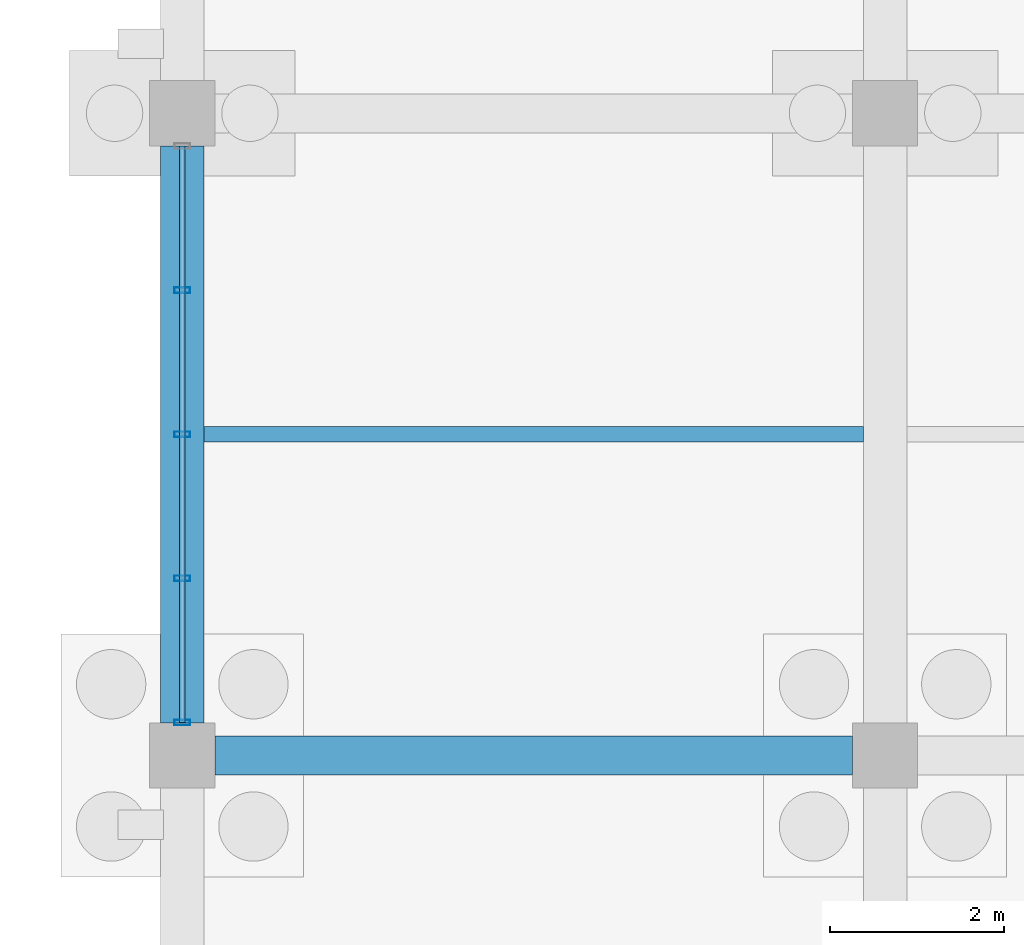
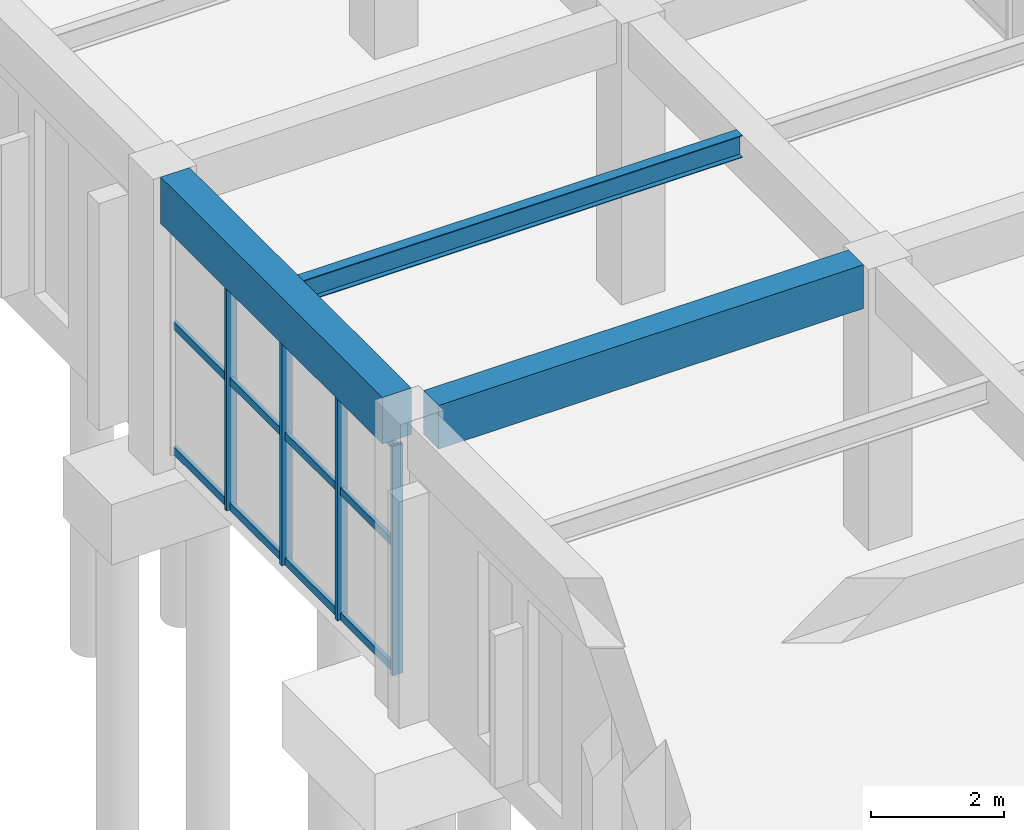
# One storey, part 65 of 140: 7 members, 3 beams, 1 element without a shape of its own.
"""IFC4 building model written with IfcOpenShell, lengths in metres."""

from ifc_helpers import new_model, si_unit, direction, frame, origin, origin_2d, place, context, subcontext, project, spatial, rectangle, hollow_rectangle, i_section, extrude, material, material_profile, profile_set, type_object, element, aggregate, save


model = new_model("IFC4")

# Units and contexts
model_context = context("Model", 3, precision=1e-05, world=origin(), true_north=direction((0.0, 1.0)))
body_context = subcontext(model_context, "Body", "Model", "MODEL_VIEW")
ifc_project = project(units=[si_unit("LENGTHUNIT", "METRE"), si_unit("AREAUNIT", "SQUARE_METRE"), si_unit("VOLUMEUNIT", "CUBIC_METRE"), si_unit("PLANEANGLEUNIT", "RADIAN"), si_unit("MASSUNIT", "GRAM", prefix="KILO")], contexts=[model_context])

# Site, building, storey
site_placement = place(None, origin())
site = spatial("IfcSite", under=ifc_project, at=site_placement, CompositionType="ELEMENT")
building_placement = place(site_placement, origin())
building = spatial("IfcBuilding", under=site, at=building_placement, Name="Cimatlan Art Gallery", CompositionType="ELEMENT")
storey_placement = place(building_placement, origin())
storey = spatial("IfcBuildingStorey", under=building, at=storey_placement, Name="L00", CompositionType="ELEMENT", Elevation=0.0)

# Beams
ifc_material_1 = material(Name="Concrete C40/50", Category="concrete")
ifc_material_profile_1 = material_profile(ifc_material_1, rectangle(XDim=0.449951171875, YDim=0.800048828125, at=origin_2d()), Name="RC450X800")
ifc_profile_set_1 = profile_set([ifc_material_profile_1], Name="Concrete C40/50")
beam_type_1 = type_object("IfcBeamType", Name="BM-RC-450X800", PredefinedType="BEAM", material=ifc_profile_set_1)
beam_1_placement = place(storey_placement, frame((34.77490234375, 83.10009765625, 4.735107421875), z_axis=(1.0, 0.0, 0.0), x_axis=(0.0, 1.0, 0.0)))
element("IfcBeam", 1, at=beam_1_placement, inside=storey, type_object=beam_type_1, Name="BM-X-L00-04-11", PredefinedType="BEAM", context=body_context, shape_type="SweptSolid", body=[
    extrude(rectangle(XDim=0.449951171875, YDim=0.800048828125, at=origin_2d()), origin(), (0.0, 0.0, 1.0), 7.35009765625),
])
ifc_material_profile_2 = material_profile(ifc_material_1, rectangle(XDim=0.5, YDim=0.85009765625, at=origin_2d()), Name="RC500X850")
ifc_profile_set_2 = profile_set([ifc_material_profile_2], Name="Concrete C40/50")
beam_type_2 = type_object("IfcBeamType", Name="BM-RC-500X850", PredefinedType="BEAM", material=ifc_profile_set_2)
beam_2_placement = place(storey_placement, frame((34.39990234375, 83.47509765625, 4.7099609375), z_axis=(0.0, 1.0, 0.0), x_axis=(-1.0, 0.0, 0.0)))
element("IfcBeam", 2, at=beam_2_placement, inside=storey, type_object=beam_type_2, Name="BM-Y-L00-04-11", PredefinedType="BEAM", context=body_context, shape_type="SweptSolid", body=[
    extrude(rectangle(XDim=0.5, YDim=0.85009765625, at=origin_2d()), origin(), (0.0, 0.0, 1.0), 6.64990234375),
])
ifc_material_2 = material(Name="Steel ASTM A992 Grade 50", Category="steel")
ifc_material_profile_3 = material_profile(ifc_material_2, i_section(OverallWidth=0.177978515625, OverallDepth=0.406982421875, WebThickness=0.0078125, FlangeThickness=0.0126953125, at=origin_2d()), Name="W16X40")
ifc_profile_set_3 = profile_set([ifc_material_profile_3], Name="Steel ASTM A992 Grade 50")
beam_type_3 = type_object("IfcBeamType", Name="BM-STL-W16X40", PredefinedType="JOIST", material=ifc_profile_set_3)
beam_3_placement = place(storey_placement, frame((34.64990234375, 86.800048828125, 4.931396484375), z_axis=(1.0, 0.0, 0.0), x_axis=(0.0, 1.0, 0.0)))
element("IfcBeam", 3, at=beam_3_placement, inside=storey, type_object=beam_type_3, Name="JST-L00-04-11", PredefinedType="JOIST", context=body_context, shape_type="SweptSolid", body=[
    extrude(i_section(OverallWidth=0.177978515625, OverallDepth=0.406982421875, WebThickness=0.0078125, FlangeThickness=0.0126953125, at=origin_2d()), origin(), (0.0, 0.0, 1.0), 7.60009765625),
])

# Curtain wall, members
ifc_material_3 = material(Name="Anodised bronze unitised curtain wall")
curtain_wall_type = type_object("IfcCurtainWallType", Name="CW-V-06642X04195-B4", PredefinedType="NOTDEFINED", material=ifc_material_3)
curtain_wall_placement = place(storey_placement, origin())
curtain_wall = element("IfcCurtainWall", 4, at=curtain_wall_placement, inside=storey, type_object=curtain_wall_type, Name="CW-L00-04-11-W", PredefinedType="NOTDEFINED")
ifc_material_4 = material(Name="Anodised bronze aluminium 6063-T6", Category="aluminium")
ifc_material_profile_4 = material_profile(ifc_material_4, hollow_rectangle(XDim=0.06494140625, YDim=0.179931640625, WallThickness=0.00390625, at=origin_2d()), Name="ALU65X180X4")
ifc_profile_set_4 = profile_set([ifc_material_profile_4], Name="Anodised bronze aluminium 6063-T6")
member_type_1 = type_object("IfcMemberType", Name="CW-MUL-180", PredefinedType="MULLION", material=ifc_profile_set_4)
member_1_placement = place(storey_placement, frame((34.39990234375, 83.47900390625, 0.0), z_axis=(0.0, 0.0, 1.0), x_axis=(0.0, 1.0, 0.0)))
member_1 = element("IfcMember", 5, at=member_1_placement, type_object=member_type_1, Name="CW-L00-04-11-W-M1", PredefinedType="MULLION", context=body_context, shape_type="SweptSolid", body=[
    extrude(hollow_rectangle(XDim=0.06494140625, YDim=0.179931640625, WallThickness=0.00390625, at=origin_2d()), origin(), (0.0, 0.0, 1.0), 4.195068359375),
])
member_2_placement = place(storey_placement, frame((34.39990234375, 85.139404296875, 0.0), z_axis=(0.0, 0.0, 1.0), x_axis=(0.0, 1.0, 0.0)))
member_2 = element("IfcMember", 6, at=member_2_placement, type_object=member_type_1, Name="CW-L00-04-11-W-M2", PredefinedType="MULLION", context=body_context, shape_type="SweptSolid", body=[
    extrude(hollow_rectangle(XDim=0.06494140625, YDim=0.179931640625, WallThickness=0.00390625, at=origin_2d()), origin(), (0.0, 0.0, 1.0), 4.195068359375),
])
member_3_placement = place(storey_placement, frame((34.39990234375, 86.800048828125, 0.0), z_axis=(0.0, 0.0, 1.0), x_axis=(0.0, 1.0, 0.0)))
member_3 = element("IfcMember", 7, at=member_3_placement, type_object=member_type_1, Name="CW-L00-04-11-W-M3", PredefinedType="MULLION", context=body_context, shape_type="SweptSolid", body=[
    extrude(hollow_rectangle(XDim=0.06494140625, YDim=0.179931640625, WallThickness=0.00390625, at=origin_2d()), origin(), (0.0, 0.0, 1.0), 4.195068359375),
])
member_4_placement = place(storey_placement, frame((34.39990234375, 88.46044921875, 0.0), z_axis=(0.0, 0.0, 1.0), x_axis=(0.0, 1.0, 0.0)))
member_4 = element("IfcMember", 8, at=member_4_placement, type_object=member_type_1, Name="CW-L00-04-11-W-M4", PredefinedType="MULLION", context=body_context, shape_type="SweptSolid", body=[
    extrude(hollow_rectangle(XDim=0.06494140625, YDim=0.179931640625, WallThickness=0.00390625, at=origin_2d()), origin(), (0.0, 0.0, 1.0), 4.195068359375),
])
ifc_material_profile_5 = material_profile(ifc_material_4, hollow_rectangle(XDim=0.06494140625, YDim=0.139892578125, WallThickness=0.00390625, at=origin_2d()), Name="ALU65X140X4")
ifc_profile_set_5 = profile_set([ifc_material_profile_5], Name="Anodised bronze aluminium 6063-T6")
member_type_2 = type_object("IfcMemberType", Name="CW-TRN-140", PredefinedType="USERDEFINED", material=ifc_profile_set_5)
member_5_placement = place(storey_placement, frame((34.39990234375, 83.47900390625, 0.06005859375), z_axis=(0.0, 1.0, 0.0), x_axis=(-1.0, 0.0, 0.0)))
member_5 = element("IfcMember", 9, at=member_5_placement, type_object=member_type_2, Name="CW-L00-04-11-W-T1", ObjectType="TRANSOM", PredefinedType="USERDEFINED", context=body_context, shape_type="SweptSolid", body=[
    extrude(hollow_rectangle(XDim=0.06494140625, YDim=0.139892578125, WallThickness=0.00390625, at=origin_2d()), origin(), (0.0, 0.0, 1.0), 6.64208984375),
])
member_6_placement = place(storey_placement, frame((34.39990234375, 83.47900390625, 2.34912109375), z_axis=(0.0, 1.0, 0.0), x_axis=(-1.0, 0.0, 0.0)))
member_6 = element("IfcMember", 10, at=member_6_placement, type_object=member_type_2, Name="CW-L00-04-11-W-T2", ObjectType="TRANSOM", PredefinedType="USERDEFINED", context=body_context, shape_type="SweptSolid", body=[
    extrude(hollow_rectangle(XDim=0.06494140625, YDim=0.139892578125, WallThickness=0.00390625, at=origin_2d()), origin(), (0.0, 0.0, 1.0), 6.64208984375),
])
member_7_placement = place(storey_placement, frame((34.39990234375, 83.47900390625, 4.135009765625), z_axis=(0.0, 1.0, 0.0), x_axis=(-1.0, 0.0, 0.0)))
member_7 = element("IfcMember", 11, at=member_7_placement, type_object=member_type_2, Name="CW-L00-04-11-W-T3", ObjectType="TRANSOM", PredefinedType="USERDEFINED", context=body_context, shape_type="SweptSolid", body=[
    extrude(hollow_rectangle(XDim=0.06494140625, YDim=0.139892578125, WallThickness=0.00390625, at=origin_2d()), origin(), (0.0, 0.0, 1.0), 6.64208984375),
])
aggregate(curtain_wall, [member_1, member_2, member_3, member_4, member_5, member_6, member_7])

save(model, "model.ifc")
